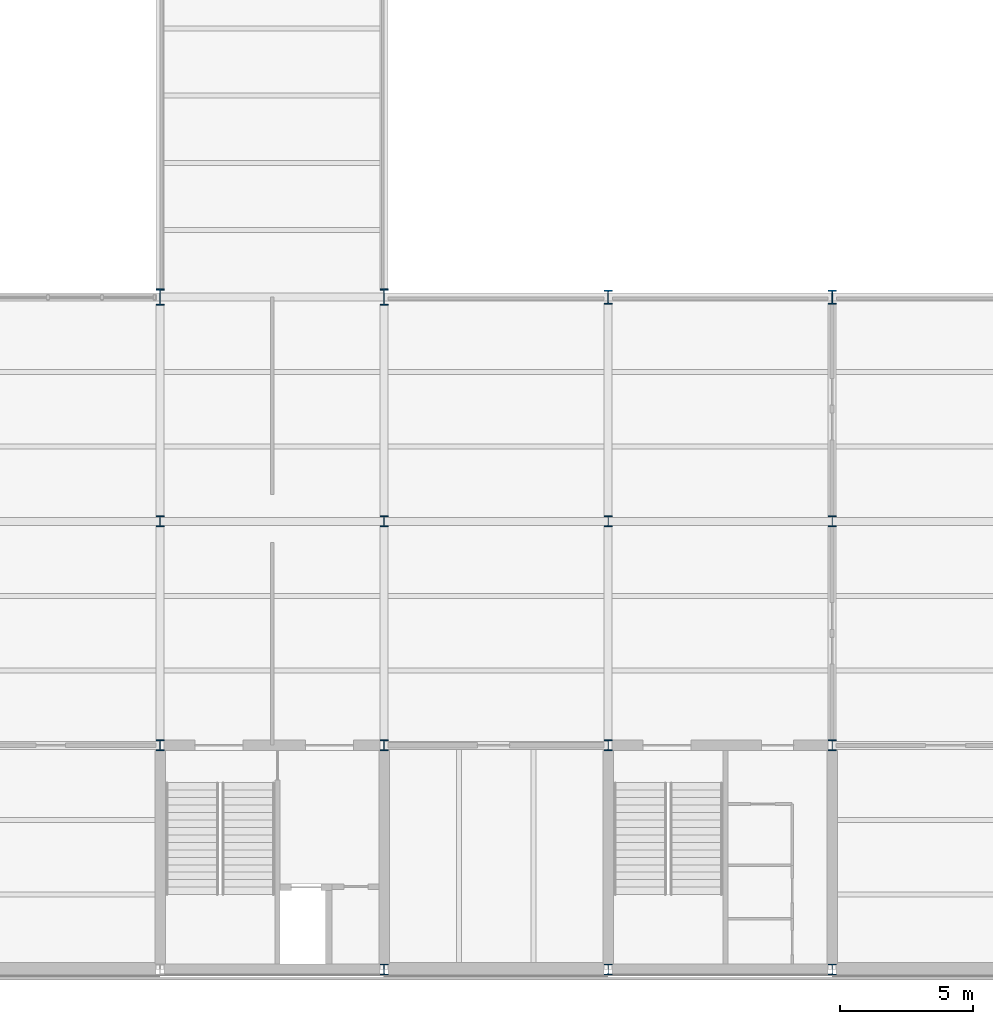
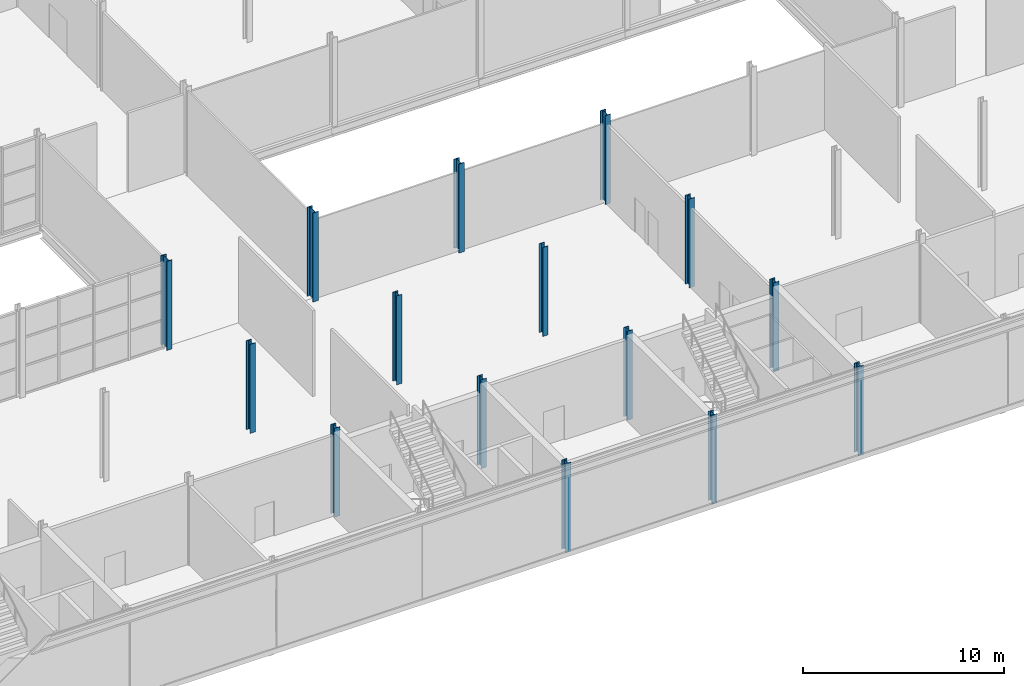
# One storey, part 2 of 57: 15 columns.
"""IFC4 building model written with IfcOpenShell, lengths in metres."""

from ifc_helpers import new_model, si_unit, direction, frame, origin, origin_2d, place, context, subcontext, project, spatial, i_section, extrude, material, material_profile, profile_set, type_object, element, save


model = new_model("IFC4")

# Units and contexts
model_context = context("Model", 3, precision=1e-05, world=origin(), true_north=direction((0.0, 1.0)))
body_context = subcontext(model_context, "Body", "Model", "MODEL_VIEW")
ifc_project = project(units=[si_unit("LENGTHUNIT", "METRE"), si_unit("AREAUNIT", "SQUARE_METRE"), si_unit("VOLUMEUNIT", "CUBIC_METRE"), si_unit("PLANEANGLEUNIT", "RADIAN"), si_unit("MASSUNIT", "GRAM", prefix="KILO")], contexts=[model_context])

# Site, building, storey
site_placement = place(None, origin())
site = spatial("IfcSite", under=ifc_project, at=site_placement, CompositionType="ELEMENT")
building_placement = place(site_placement, origin())
building = spatial("IfcBuilding", under=site, at=building_placement, Name="Galleria Vessillo Department Store", CompositionType="ELEMENT")
storey_placement = place(building_placement, frame((0.0, 0.0, 25.800048828125)))
storey = spatial("IfcBuildingStorey", under=building, at=storey_placement, Name="L05", CompositionType="ELEMENT", Elevation=25.800048828125)

# Columns
ifc_material_1 = material(Name="Steel S355 J2", Category="steel")
ifc_material_profile_1 = material_profile(ifc_material_1, i_section(OverallWidth=0.300048828125, OverallDepth=0.39990234375, WebThickness=0.013427734375, FlangeThickness=0.02392578125, FilletRadius=0.027099609375, at=origin_2d()), Name="HEB 400")
ifc_profile_set_1 = profile_set([ifc_material_profile_1], Name="Steel S355 J2")
column_type_1 = type_object("IfcColumnType", Name="Steel column HEB 400 CP2", PredefinedType="COLUMN", material=ifc_profile_set_1)
for number, where, z_axis, x_axis, name in (
    (1, (33.60009765625, 8.39990234375, 0.0), (0.0, 0.0, 1.0), (1.0, 0.0, 0.0), "S-COL-L05-5-B"),
    (2, (33.60009765625, 16.800048828125, 0.0), (0.0, 0.0, 1.0), (1.0, 0.0, 0.0), "S-COL-L05-5-C"),
    (3, (42.0, 0.0, 0.0), (0.0, 0.0, 1.0), (1.0, 0.0, 0.0), "S-COL-L05-6-A"),
    (4, (42.0, 8.39990234375, 0.0), (0.0, 0.0, 1.0), (1.0, 0.0, 0.0), "S-COL-L05-6-B"),
    (5, (42.0, 16.800048828125, 0.0), (0.0, 0.0, 1.0), (1.0, 0.0, 0.0), "S-COL-L05-6-C"),
    (6, (50.39990234375, 0.0, 0.0), (0.0, 0.0, 1.0), (1.0, 0.0, 0.0), "S-COL-L05-7-A"),
    (7, (50.39990234375, 8.39990234375, 0.0), (0.0, 0.0, 1.0), (1.0, 0.0, 0.0), "S-COL-L05-7-B"),
    (8, (50.39990234375, 16.800048828125, 0.0), (0.0, 0.0, 1.0), (1.0, 0.0, 0.0), "S-COL-L05-7-C"),
    (9, (58.800048828125, 0.0, 0.0), (0.0, 0.0, 1.0), (1.0, 0.0, 0.0), "S-COL-L05-8-A"),
    (10, (58.800048828125, 8.39990234375, 0.0), (0.0, 0.0, 1.0), (1.0, 0.0, 0.0), "S-COL-L05-8-B"),
    (11, (58.800048828125, 16.800048828125, 0.0), (0.0, 0.0, 1.0), (1.0, 0.0, 0.0), "S-COL-L05-8-C"),
):
    element("IfcColumn", number, at=place(storey_placement, frame(where, z_axis=z_axis, x_axis=x_axis)), inside=storey, type_object=column_type_1, Name=name, PredefinedType="COLUMN", context=body_context, shape_type="SweptSolid", body=[
        extrude(i_section(OverallWidth=0.300048828125, OverallDepth=0.39990234375, WebThickness=0.013427734375, FlangeThickness=0.02392578125, FilletRadius=0.027099609375, at=origin_2d()), origin(), (0.0, 0.0, 1.0), 5.39990234375),
    ])
ifc_material_2 = material(Name="Steel S355 J2", Category="steel")
ifc_material_profile_2 = material_profile(ifc_material_2, i_section(OverallWidth=0.305908203125, OverallDepth=0.52392578125, WebThickness=0.02099609375, FlangeThickness=0.0400390625, FilletRadius=0.027099609375, at=origin_2d()), Name="HEM 500")
ifc_profile_set_2 = profile_set([ifc_material_profile_2], Name="Steel S355 J2")
column_type_2 = type_object("IfcColumnType", Name="Steel column HEM 500 CV1", PredefinedType="COLUMN", material=ifc_profile_set_2)
for number, where, z_axis, x_axis, name in (
    (12, (50.39990234375, 25.199951171875, 0.0), (0.0, 0.0, 1.0), (1.0, 0.0, 0.0), "S-COL-L05-7-D"),
    (13, (58.800048828125, 25.199951171875, 0.0), (0.0, 0.0, 1.0), (1.0, 0.0, 0.0), "S-COL-L05-8-D"),
):
    element("IfcColumn", number, at=place(storey_placement, frame(where, z_axis=z_axis, x_axis=x_axis)), inside=storey, type_object=column_type_2, Name=name, PredefinedType="COLUMN", context=body_context, shape_type="SweptSolid", body=[
        extrude(i_section(OverallWidth=0.305908203125, OverallDepth=0.52392578125, WebThickness=0.02099609375, FlangeThickness=0.0400390625, FilletRadius=0.027099609375, at=origin_2d()), origin(), (0.0, 0.0, 1.0), 5.39990234375),
    ])
ifc_material_3 = material(Name="Steel S355 J2", Category="steel")
ifc_material_profile_3 = material_profile(ifc_material_3, i_section(OverallWidth=0.304931640625, OverallDepth=0.6201171875, WebThickness=0.02099609375, FlangeThickness=0.0400390625, FilletRadius=0.027099609375, at=origin_2d()), Name="HEM 600")
ifc_profile_set_3 = profile_set([ifc_material_profile_3], Name="Steel S355 J2")
column_type_3 = type_object("IfcColumnType", Name="Steel column HEM 600 CV2", PredefinedType="COLUMN", material=ifc_profile_set_3)
for number, where, z_axis, x_axis, name in (
    (14, (33.60009765625, 25.199951171875, 0.0), (0.0, 0.0, 1.0), (1.0, 0.0, 0.0), "S-COL-L05-5-D"),
    (15, (42.0, 25.199951171875, 0.0), (0.0, 0.0, 1.0), (1.0, 0.0, 0.0), "S-COL-L05-6-D"),
):
    element("IfcColumn", number, at=place(storey_placement, frame(where, z_axis=z_axis, x_axis=x_axis)), inside=storey, type_object=column_type_3, Name=name, PredefinedType="COLUMN", context=body_context, shape_type="SweptSolid", body=[
        extrude(i_section(OverallWidth=0.304931640625, OverallDepth=0.6201171875, WebThickness=0.02099609375, FlangeThickness=0.0400390625, FilletRadius=0.027099609375, at=origin_2d()), origin(), (0.0, 0.0, 1.0), 5.39990234375),
    ])

save(model, "model.ifc")
